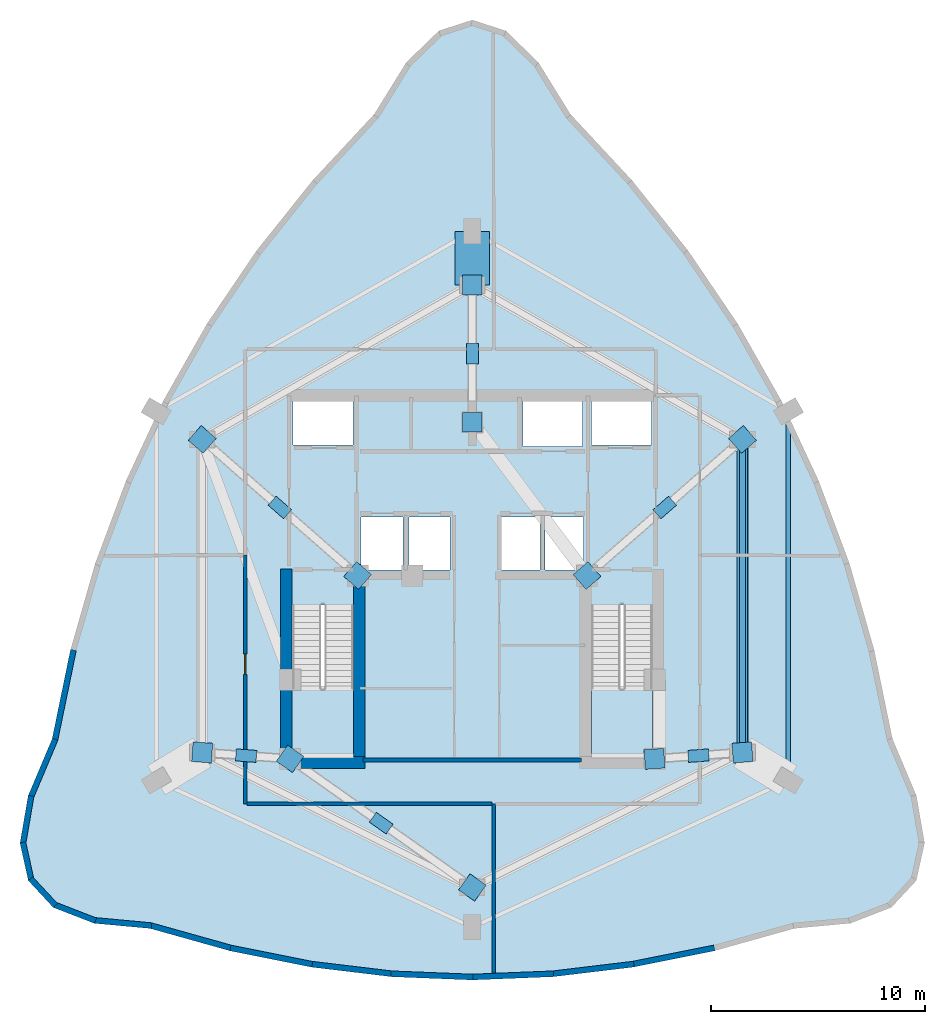
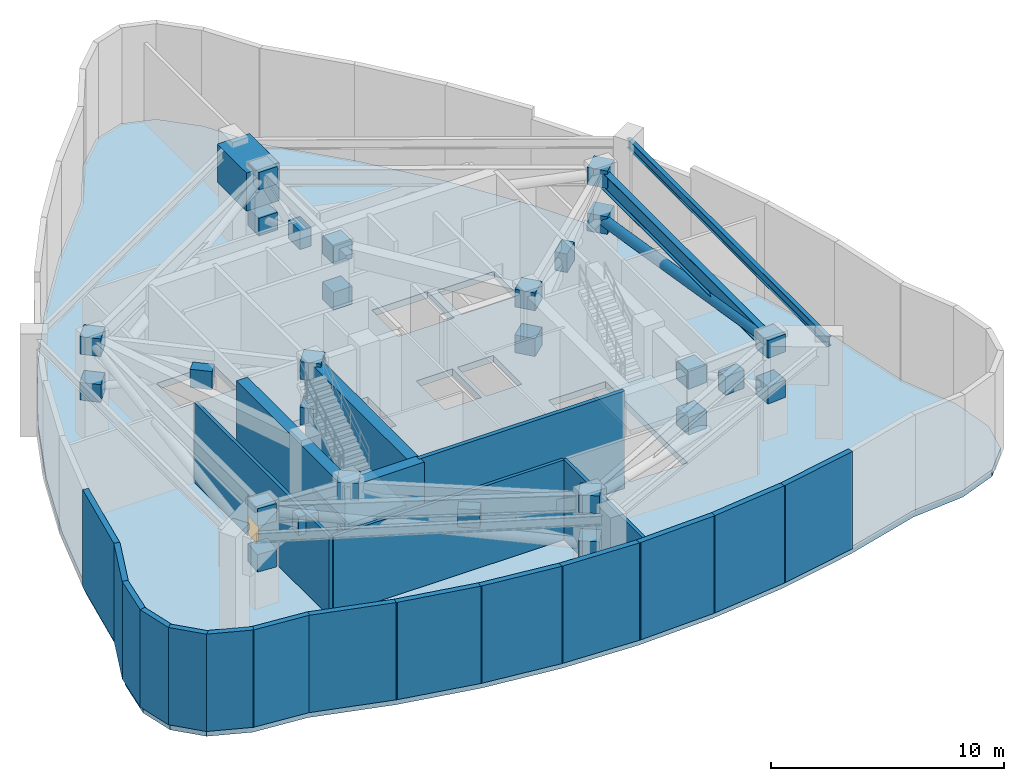
# One storey, part 2 of 5: 28 plates, 21 walls, 3 beams, 3 slabs, 1 door, 1 member, 1 opening, 2 elements without a shape of their own.
"""IFC4 building model written with IfcOpenShell, lengths in metres."""

from ifc_helpers import new_model, si_unit, direction, frame, frame_2d, origin, origin_2d, place, context, subcontext, project, spatial, polyline, rectangle, hollow_circle, i_section, outline, extrude, material, layer, layer_set, material_profile, profile_set, type_object, element, fill, aggregate, save


model = new_model("IFC4")

# Units and contexts
model_context = context("Model", 3, precision=1e-05, world=origin(), true_north=direction((0.0, 1.0)))
body_context = subcontext(model_context, "Body", "Model", "MODEL_VIEW")
ifc_project = project(units=[si_unit("LENGTHUNIT", "METRE"), si_unit("AREAUNIT", "SQUARE_METRE"), si_unit("VOLUMEUNIT", "CUBIC_METRE"), si_unit("PLANEANGLEUNIT", "RADIAN"), si_unit("MASSUNIT", "GRAM", prefix="KILO")], contexts=[model_context])

# Site, building, storey
site_placement = place(None, origin())
site = spatial("IfcSite", under=ifc_project, at=site_placement, CompositionType="ELEMENT")
building_placement = place(site_placement, origin())
building = spatial("IfcBuilding", under=site, at=building_placement, Name="Miruveldt Soraemaru", CompositionType="ELEMENT")
storey_placement = place(building_placement, frame((0.0, 0.0, 184.39990234375)))
storey = spatial("IfcBuildingStorey", under=building, at=storey_placement, Name="L51", CompositionType="ELEMENT", Elevation=184.39990234375)

# Beams
ifc_material_1 = material(Name="Steel SM355 (355 MPa)", Category="steel")
ifc_material_profile_1 = material_profile(ifc_material_1, i_section(OverallWidth=0.199951171875, OverallDepth=0.5, WebThickness=0.010009765625, FlangeThickness=0.01611328125, FilletRadius=0.02001953125, at=origin_2d()), Name="Steel SM355 (355 MPa)", Category="steel")
ifc_profile_set_1 = profile_set([ifc_material_profile_1], Name="Steel SM355 (355 MPa)")
beam_type_1 = type_object("IfcBeamType", Name="BM-ST-H500", PredefinedType="SPANDREL", material=ifc_profile_set_1)
beam_1_placement = place(storey_placement, frame((58.739990234375, 51.705078125, 4.85009765625), z_axis=(0.0, -1.0, 0.0), x_axis=(1.0, 0.0, 0.0)))
element("IfcBeam", 1, at=beam_1_placement, inside=storey, type_object=beam_type_1, Name="L51 Zone-2 Spandrel Beam 2", PredefinedType="SPANDREL", context=body_context, shape_type="SweptSolid", body=[
    extrude(i_section(OverallWidth=0.199951171875, OverallDepth=0.5, WebThickness=0.010009765625, FlangeThickness=0.01611328125, FilletRadius=0.02001953125, at=origin_2d()), origin(), (0.0, 0.0, 1.0), 17.2099609375),
])
ifc_material_2 = material(Name="Steel S460 (460 MPa)", Category="steel")
ifc_material_profile_2 = material_profile(ifc_material_2, i_section(OverallWidth=0.300048828125, OverallDepth=0.89990234375, WebThickness=0.01611328125, FlangeThickness=0.028076171875, FilletRadius=0.028076171875, at=origin_2d()), Name="Steel S460 (460 MPa)", Category="steel")
ifc_profile_set_2 = profile_set([ifc_material_profile_2], Name="Steel S460 (460 MPa)")
beam_type_2 = type_object("IfcBeamType", Name="BM-ST-H900", PredefinedType="BEAM", material=ifc_profile_set_2)
beam_2_placement = place(storey_placement, frame((56.60009765625, 50.39990234375, 4.650146484375), z_axis=(0.0, -1.0, 0.0), x_axis=(1.0, 0.0, 0.0)))
element("IfcBeam", 2, at=beam_2_placement, inside=storey, type_object=beam_type_2, Name="L51 Inner Ring Girder 2", PredefinedType="BEAM", context=body_context, shape_type="SweptSolid", body=[
    extrude(i_section(OverallWidth=0.300048828125, OverallDepth=0.89990234375, WebThickness=0.01611328125, FlangeThickness=0.028076171875, FilletRadius=0.028076171875, at=origin_2d()), origin(), (0.0, 0.0, 1.0), 14.599853515625),
])
ifc_material_3 = material(Name="Concrete C70/85 (70 MPa)", Category="concrete")
ifc_material_profile_3 = material_profile(ifc_material_3, rectangle(XDim=1.60009765625, YDim=2.0, at=origin_2d()), Name="Concrete C70/85 (70 MPa)", Category="concrete")
ifc_profile_set_3 = profile_set([ifc_material_profile_3], Name="Concrete C70/85 (70 MPa)")
beam_type_3 = type_object("IfcBeamType", Name="BM-TG-1600x2000", PredefinedType="USERDEFINED", material=ifc_profile_set_3)
beam_3_placement = place(storey_placement, frame((44.0, 57.60009765625, 4.10009765625), z_axis=(0.0, 1.0, 0.0), x_axis=(-1.0, 0.0, 0.0)))
element("IfcBeam", 3, at=beam_3_placement, inside=storey, type_object=beam_type_3, Name="L51 Continuous Zone-3 Transfer Girder 1", ObjectType="TRANSFER GIRDER", PredefinedType="USERDEFINED", context=body_context, shape_type="SweptSolid", body=[
    extrude(rectangle(XDim=1.60009765625, YDim=2.0, at=origin_2d()), origin(), (0.0, 0.0, 1.0), 2.505859375),
])

# Member
ifc_material_profile_4 = material_profile(ifc_material_2, hollow_circle(Radius=0.25390625, WallThickness=0.02001953125, at=origin_2d()), Name="Steel S460 (460 MPa)", Category="steel")
ifc_profile_set_4 = profile_set([ifc_material_profile_4], Name="Steel S460 (460 MPa)")
member_type = type_object("IfcMemberType", Name="MEM-BLT-CHS508", PredefinedType="BRACE", material=ifc_profile_set_4)
member_placement = place(storey_placement, frame((56.60009765625, 50.39990234375, 2.420166015625), z_axis=(0.0, -0.98675761441, 0.162201758326), x_axis=(1.0, 0.0, 0.0)))
element("IfcMember", 4, at=member_placement, inside=storey, type_object=member_type, Name="L51 Belt Truss Diagonal 2", PredefinedType="BRACE", context=body_context, shape_type="SweptSolid", body=[
    extrude(hollow_circle(Radius=0.25390625, WallThickness=0.02001953125, at=origin_2d()), origin(), (0.0, 0.0, 1.0), 14.7958984375),
])

# Plates
ifc_layer_1 = layer(ifc_material_2, 0.028076171875, Name="Steel S460 (460 MPa)", Category="steel")
ifc_layer_set_1 = layer_set([ifc_layer_1], Name="Steel S460 (460 MPa)")
plate_type = type_object("IfcPlateType", Name="PLT-GUSSET-28", PredefinedType="USERDEFINED", material=ifc_layer_set_1)
plate_1_placement = place(storey_placement, frame((44.0, 54.39990234375, 3.14013671875), z_axis=(0.0, 0.0, 1.0), x_axis=(0.0, 1.0, 0.0)))
element("IfcPlate", 5, at=plate_1_placement, inside=storey, type_object=plate_type, Name="L51 Outrigger X-Brace Crossing Gusset Plate 1", ObjectType="GUSSET", PredefinedType="USERDEFINED", context=body_context, shape_type="SweptSolid", body=[
    extrude(rectangle(XDim=0.9599609375, YDim=0.56005859375, at=origin_2d()), origin(), (0.0, 0.0, 1.0), 0.9599609375),
])
for number, where, z_axis, x_axis, name in (
    (6, (44.0, 51.199951171875, 1.960205078125), (0.0, 0.0, 1.0), (0.0, 1.0, 0.0), "L51 Outrigger Node Gusset Plate 1CB"),
    (7, (44.0, 51.199951171875, 4.360107421875), (0.0, 0.0, 1.0), (0.0, 1.0, 0.0), "L51 Outrigger Node Gusset Plate 1CT"),
    (8, (44.0, 57.60009765625, 1.960205078125), (0.0, 0.0, 1.0), (0.0, 1.0, 0.0), "L51 Outrigger Node Gusset Plate 1IB"),
    (9, (44.0, 57.60009765625, 4.360107421875), (0.0, 0.0, 1.0), (0.0, 1.0, 0.0), "L51 Outrigger Node Gusset Plate 1IT"),
):
    element("IfcPlate", number, at=place(storey_placement, frame(where, z_axis=z_axis, x_axis=x_axis)), inside=storey, type_object=plate_type, Name=name, ObjectType="GUSSET", PredefinedType="USERDEFINED", context=body_context, shape_type="SweptSolid", body=[
        extrude(rectangle(XDim=0.919921875, YDim=0.919921875, at=origin_2d()), origin(), (0.0, 0.0, 1.0), 0.919921875),
    ])
plate_2_placement = place(storey_placement, frame((52.97509765625, 47.22509765625, 3.14013671875), z_axis=(0.0, 0.0, 1.0), x_axis=(0.752299934438, 0.658820771261, 0.0)))
element("IfcPlate", 10, at=plate_2_placement, inside=storey, type_object=plate_type, Name="L51 Outrigger X-Brace Crossing Gusset Plate 2", ObjectType="GUSSET", PredefinedType="USERDEFINED", context=body_context, shape_type="SweptSolid", body=[
    extrude(rectangle(XDim=0.9599609375, YDim=0.56005859375, at=origin_2d()), origin(), (0.0, 0.0, 1.0), 0.9599609375),
])
for number, where, z_axis, x_axis, name in (
    (11, (49.35009765625, 44.050048828125, 1.960205078125), (0.0, 0.0, 1.0), (0.752299934438, 0.658820771261, 0.0), "L51 Outrigger Node Gusset Plate 2CB"),
    (12, (49.35009765625, 44.050048828125, 4.360107421875), (0.0, 0.0, 1.0), (0.752299934438, 0.658820771261, 0.0), "L51 Outrigger Node Gusset Plate 2CT"),
    (13, (56.60009765625, 50.39990234375, 1.960205078125), (0.0, 0.0, 1.0), (0.752299934438, 0.658820771261, 0.0), "L51 Outrigger Node Gusset Plate 2IB"),
    (14, (56.60009765625, 50.39990234375, 4.360107421875), (0.0, 0.0, 1.0), (0.752299934438, 0.658820771261, 0.0), "L51 Outrigger Node Gusset Plate 2IT"),
):
    element("IfcPlate", number, at=place(storey_placement, frame(where, z_axis=z_axis, x_axis=x_axis)), inside=storey, type_object=plate_type, Name=name, ObjectType="GUSSET", PredefinedType="USERDEFINED", context=body_context, shape_type="SweptSolid", body=[
        extrude(rectangle(XDim=0.919921875, YDim=0.919921875, at=origin_2d()), origin(), (0.0, 0.0, 1.0), 0.919921875),
    ])
plate_3_placement = place(storey_placement, frame((54.550048828125, 35.64990234375, 3.14013671875), z_axis=(0.0, 0.0, 1.0), x_axis=(0.997339981418, 0.072890064247, 0.0)))
element("IfcPlate", 15, at=plate_3_placement, inside=storey, type_object=plate_type, Name="L51 Outrigger X-Brace Crossing Gusset Plate 3", ObjectType="GUSSET", PredefinedType="USERDEFINED", context=body_context, shape_type="SweptSolid", body=[
    extrude(rectangle(XDim=0.9599609375, YDim=0.56005859375, at=origin_2d()), origin(), (0.0, 0.0, 1.0), 0.9599609375),
])
for number, where, z_axis, x_axis, name in (
    (16, (52.5, 35.5, 1.960205078125), (0.0, 0.0, 1.0), (0.997339981418, 0.072890064247, 0.0), "L51 Outrigger Node Gusset Plate 3CB"),
    (17, (52.5, 35.5, 4.360107421875), (0.0, 0.0, 1.0), (0.997339981418, 0.072890064247, 0.0), "L51 Outrigger Node Gusset Plate 3CT"),
    (18, (56.60009765625, 35.800048828125, 1.960205078125), (0.0, 0.0, 1.0), (0.997339981418, 0.072890064247, 0.0), "L51 Outrigger Node Gusset Plate 3IB"),
    (19, (56.60009765625, 35.800048828125, 4.360107421875), (0.0, 0.0, 1.0), (0.997339981418, 0.072890064247, 0.0), "L51 Outrigger Node Gusset Plate 3IT"),
):
    element("IfcPlate", number, at=place(storey_placement, frame(where, z_axis=z_axis, x_axis=x_axis)), inside=storey, type_object=plate_type, Name=name, ObjectType="GUSSET", PredefinedType="USERDEFINED", context=body_context, shape_type="SweptSolid", body=[
        extrude(rectangle(XDim=0.919921875, YDim=0.919921875, at=origin_2d()), origin(), (0.0, 0.0, 1.0), 0.919921875),
    ])
plate_4_placement = place(storey_placement, frame((39.75, 32.5, 3.14013671875), z_axis=(0.0, 0.0, 1.0), x_axis=(0.816943635719, -0.576717518425, 0.0)))
element("IfcPlate", 20, at=plate_4_placement, inside=storey, type_object=plate_type, Name="L51 Outrigger X-Brace Crossing Gusset Plate 4", ObjectType="GUSSET", PredefinedType="USERDEFINED", context=body_context, shape_type="SweptSolid", body=[
    extrude(rectangle(XDim=0.9599609375, YDim=0.56005859375, at=origin_2d()), origin(), (0.0, 0.0, 1.0), 0.9599609375),
])
for number, where, z_axis, x_axis, name in (
    (21, (35.5, 35.5, 1.960205078125), (0.0, 0.0, 1.0), (0.816943635719, -0.576717518425, 0.0), "L51 Outrigger Node Gusset Plate 4CB"),
    (22, (35.5, 35.5, 4.360107421875), (0.0, 0.0, 1.0), (0.816943635719, -0.576717518425, 0.0), "L51 Outrigger Node Gusset Plate 4CT"),
    (23, (44.0, 29.5, 1.960205078125), (0.0, 0.0, 1.0), (0.816943635719, -0.576717518425, 0.0), "L51 Outrigger Node Gusset Plate 4IB"),
    (24, (44.0, 29.5, 4.360107421875), (0.0, 0.0, 1.0), (0.816943635719, -0.576717518425, 0.0), "L51 Outrigger Node Gusset Plate 4IT"),
):
    element("IfcPlate", number, at=place(storey_placement, frame(where, z_axis=z_axis, x_axis=x_axis)), inside=storey, type_object=plate_type, Name=name, ObjectType="GUSSET", PredefinedType="USERDEFINED", context=body_context, shape_type="SweptSolid", body=[
        extrude(rectangle(XDim=0.919921875, YDim=0.919921875, at=origin_2d()), origin(), (0.0, 0.0, 1.0), 0.919921875),
    ])
plate_5_placement = place(storey_placement, frame((33.449951171875, 35.64990234375, 3.14013671875), z_axis=(0.0, 0.0, 1.0), x_axis=(-0.997339981418, 0.072890064247, 0.0)))
element("IfcPlate", 25, at=plate_5_placement, inside=storey, type_object=plate_type, Name="L51 Outrigger X-Brace Crossing Gusset Plate 5", ObjectType="GUSSET", PredefinedType="USERDEFINED", context=body_context, shape_type="SweptSolid", body=[
    extrude(rectangle(XDim=0.9599609375, YDim=0.56005859375, at=origin_2d()), origin(), (0.0, 0.0, 1.0), 0.9599609375),
])
for number, where, z_axis, x_axis, name in (
    (26, (31.39990234375, 35.800048828125, 1.960205078125), (0.0, 0.0, 1.0), (-0.997339981418, 0.072890064247, 0.0), "L51 Outrigger Node Gusset Plate 5IB"),
    (27, (31.39990234375, 35.800048828125, 4.360107421875), (0.0, 0.0, 1.0), (-0.997339981418, 0.072890064247, 0.0), "L51 Outrigger Node Gusset Plate 5IT"),
):
    element("IfcPlate", number, at=place(storey_placement, frame(where, z_axis=z_axis, x_axis=x_axis)), inside=storey, type_object=plate_type, Name=name, ObjectType="GUSSET", PredefinedType="USERDEFINED", context=body_context, shape_type="SweptSolid", body=[
        extrude(rectangle(XDim=0.919921875, YDim=0.919921875, at=origin_2d()), origin(), (0.0, 0.0, 1.0), 0.919921875),
    ])
plate_6_placement = place(storey_placement, frame((35.02490234375, 47.22509765625, 3.14013671875), z_axis=(0.0, 0.0, 1.0), x_axis=(-0.752299934438, 0.658820771261, 0.0)))
element("IfcPlate", 28, at=plate_6_placement, inside=storey, type_object=plate_type, Name="L51 Outrigger X-Brace Crossing Gusset Plate 6", ObjectType="GUSSET", PredefinedType="USERDEFINED", context=body_context, shape_type="SweptSolid", body=[
    extrude(rectangle(XDim=0.9599609375, YDim=0.56005859375, at=origin_2d()), origin(), (0.0, 0.0, 1.0), 0.9599609375),
])
for number, where, z_axis, x_axis, name in (
    (29, (38.64990234375, 44.050048828125, 1.960205078125), (0.0, 0.0, 1.0), (-0.752299934438, 0.658820771261, 0.0), "L51 Outrigger Node Gusset Plate 6CB"),
    (30, (38.64990234375, 44.050048828125, 4.360107421875), (0.0, 0.0, 1.0), (-0.752299934438, 0.658820771261, 0.0), "L51 Outrigger Node Gusset Plate 6CT"),
    (31, (31.39990234375, 50.39990234375, 1.960205078125), (0.0, 0.0, 1.0), (-0.752299934438, 0.658820771261, 0.0), "L51 Outrigger Node Gusset Plate 6IB"),
    (32, (31.39990234375, 50.39990234375, 4.360107421875), (0.0, 0.0, 1.0), (-0.752299934438, 0.658820771261, 0.0), "L51 Outrigger Node Gusset Plate 6IT"),
):
    element("IfcPlate", number, at=place(storey_placement, frame(where, z_axis=z_axis, x_axis=x_axis)), inside=storey, type_object=plate_type, Name=name, ObjectType="GUSSET", PredefinedType="USERDEFINED", context=body_context, shape_type="SweptSolid", body=[
        extrude(rectangle(XDim=0.919921875, YDim=0.919921875, at=origin_2d()), origin(), (0.0, 0.0, 1.0), 0.919921875),
    ])

# Stair, slab
ifc_material_4 = material(Name="Concrete C40/50 (40 MPa)", Category="concrete")
stair_type = type_object("IfcStairType", Name="STAIR-DL-540", PredefinedType="HALF_TURN_STAIR", material=ifc_material_4)
stair_1_placement = place(storey_placement, origin())
stair_1 = element("IfcStair", 33, at=stair_1_placement, inside=storey, type_object=stair_type, Name="L51 Protected Exit Stair ST-1", PredefinedType="HALF_TURN_STAIR")
ifc_layer_2 = layer(ifc_material_4, 0.199951171875, Name="Concrete C40/50 (40 MPa)", Category="concrete")
ifc_layer_set_2 = layer_set([ifc_layer_2], Name="Concrete C40/50 (40 MPa)")
slab_type_1 = type_object("IfcSlabType", Name="SLAB-LAND-200", PredefinedType="LANDING", material=ifc_layer_set_2)
slab_1_placement = place(storey_placement, frame((0.0, 0.0, 2.5)))
slab_1 = element("IfcSlab", 34, at=slab_1_placement, type_object=slab_type_1, Name="ST-1 landing 1", PredefinedType="LANDING", context=body_context, shape_type="SweptSolid", body=[
    extrude(outline(polyline([(35.60009765625, 38.798095703125), (35.60009765625, 35.64990234375), (38.449951171875, 35.64990234375), (38.449951171875, 38.798095703125), (35.60009765625, 38.798095703125)])), origin(), (0.0, 0.0, 1.0), 0.2001953125),
])
aggregate(stair_1, [slab_1])

stair_2_placement = place(storey_placement, origin())
stair_2 = element("IfcStair", 35, at=stair_2_placement, inside=storey, type_object=stair_type, Name="L51 Protected Exit Stair ST-2", PredefinedType="HALF_TURN_STAIR")
slab_2_placement = place(storey_placement, frame((0.0, 0.0, 2.5)))
slab_2 = element("IfcSlab", 36, at=slab_2_placement, type_object=slab_type_1, Name="ST-2 landing 1", PredefinedType="LANDING", context=body_context, shape_type="SweptSolid", body=[
    extrude(outline(polyline([(49.550048828125, 38.798095703125), (49.550048828125, 35.64990234375), (52.39990234375, 35.64990234375), (52.39990234375, 38.798095703125), (49.550048828125, 38.798095703125)])), origin(), (0.0, 0.0, 1.0), 0.2001953125),
])
aggregate(stair_2, [slab_2])

# Slab
ifc_material_5 = material(Name="Concrete C50/60 (50 MPa)", Category="concrete")
ifc_layer_3 = layer(ifc_material_5, 0.35009765625, Name="Concrete C50/60 (50 MPa)", Category="concrete")
ifc_layer_set_3 = layer_set([ifc_layer_3], Name="Concrete C50/60 (50 MPa)")
slab_type_2 = type_object("IfcSlabType", Name="SLAB-REFG-350", PredefinedType="FLOOR", material=ifc_layer_set_3)
slab_3_placement = place(storey_placement, frame((0.0, 0.0, -0.349853515625)))
element("IfcSlab", 37, at=slab_3_placement, inside=storey, type_object=slab_type_2, Name="L51 Structural Floor Slab", PredefinedType="FLOOR", context=body_context, shape_type="SweptSolid", body=[
    extrude(outline(polyline([(51.3603515625, 62.3779296875), (53.96337890625, 59.114990234375), (56.275390625, 55.701904296875), (58.296142578125, 52.138916015625), (60.02587890625, 48.426025390625), (61.46484375, 44.56298828125), (62.612548828125, 40.5498046875), (63.46923828125, 36.38671875), (64.585693359375, 33.7392578125), (64.9580078125, 31.5732421875), (64.585693359375, 29.888427734375), (63.46923828125, 28.68505859375), (61.6083984375, 27.963134765625), (59.0029296875, 27.722412109375), (55.252197265625, 26.672119140625), (51.50146484375, 25.922119140625), (47.750732421875, 25.471923828125), (44.0, 25.322021484375), (40.249267578125, 25.471923828125), (36.49853515625, 25.922119140625), (32.747802734375, 26.672119140625), (28.9970703125, 27.722412109375), (26.3916015625, 27.963134765625), (24.53076171875, 28.68505859375), (23.414306640625, 29.888427734375), (23.0419921875, 31.5732421875), (23.414306640625, 33.7392578125), (24.53076171875, 36.38671875), (25.387451171875, 40.5498046875), (26.53515625, 44.56298828125), (27.97412109375, 48.426025390625), (29.703857421875, 52.138916015625), (31.724609375, 55.701904296875), (34.03662109375, 59.114990234375), (36.6396484375, 62.3779296875), (39.53369140625, 65.49072265625), (41.0224609375, 67.8974609375), (42.51123046875, 69.341552734375), (44.0, 69.822998046875), (45.48876953125, 69.341552734375), (46.9775390625, 67.8974609375), (48.46630859375, 65.49072265625), (51.3603515625, 62.3779296875)]), holes=[polyline([(35.614990234375, 35.6650390625), (38.43505859375, 35.6650390625), (38.43505859375, 42.68505859375), (35.614990234375, 42.68505859375), (35.614990234375, 35.6650390625)]), polyline([(49.56494140625, 35.6650390625), (52.385009765625, 35.6650390625), (52.385009765625, 42.68505859375), (49.56494140625, 42.68505859375), (49.56494140625, 35.6650390625)]), polyline([(40.764892578125, 44.31494140625), (40.764892578125, 46.784912109375), (38.81494140625, 46.784912109375), (38.81494140625, 44.31494140625), (40.764892578125, 44.31494140625)]), polyline([(42.965087890625, 44.31494140625), (42.965087890625, 46.784912109375), (41.034912109375, 46.784912109375), (41.034912109375, 44.31494140625), (42.965087890625, 44.31494140625)]), polyline([(47.1650390625, 44.31494140625), (47.1650390625, 46.784912109375), (45.364990234375, 46.784912109375), (45.364990234375, 44.31494140625), (47.1650390625, 44.31494140625)]), polyline([(49.18505859375, 44.31494140625), (49.18505859375, 46.784912109375), (47.39501953125, 46.784912109375), (47.39501953125, 44.31494140625), (49.18505859375, 44.31494140625)]), polyline([(38.445068359375, 50.135009765625), (38.445068359375, 52.205078125), (35.635009765625, 52.205078125), (35.635009765625, 50.135009765625), (38.445068359375, 50.135009765625)]), polyline([(49.554931640625, 50.135009765625), (52.364990234375, 50.135009765625), (52.364990234375, 52.205078125), (49.554931640625, 52.205078125), (49.554931640625, 50.135009765625)]), polyline([(46.364990234375, 50.06494140625), (49.135009765625, 50.06494140625), (49.135009765625, 52.3349609375), (46.364990234375, 52.3349609375), (46.364990234375, 50.06494140625)])]), origin(), (0.0, 0.0, 1.0), 0.349853515625),
])

# Walls
ifc_layer_4 = layer(ifc_material_3, 0.550048828125, Name="Concrete C70/85 (70 MPa)", Category="concrete")
ifc_layer_set_4 = layer_set([ifc_layer_4], Name="Concrete C70/85 (70 MPa)")
wall_type_1 = type_object("IfcWallType", Name="WALL-CW-550", PredefinedType="SHEAR", material=ifc_layer_set_4)
wall_1_placement = place(storey_placement, frame((35.050048828125, 35.324951171875, 0.0), z_axis=(0.0, 0.0, 1.0), x_axis=(1.0, 0.0, 0.0)))
element("IfcWall", 38, at=wall_1_placement, inside=storey, type_object=wall_type_1, Name="L51 Central Core Shear Wall S1", PredefinedType="SHEAR", context=body_context, shape_type="SweptSolid", body=[
    extrude(rectangle(XDim=3.949951171875, YDim=0.550048828125, at=frame_2d((1.97509765625, 0.0))), origin(), (0.0, 0.0, 1.0), 5.10009765625),
])
wall_2_placement = place(storey_placement, frame((35.324951171875, 35.050048828125, 0.0), z_axis=(0.0, 0.0, 1.0), x_axis=(0.0, 1.0, 0.0)))
element("IfcWall", 39, at=wall_2_placement, inside=storey, type_object=wall_type_1, Name="L51 Central Core Shear Wall W1", PredefinedType="SHEAR", context=body_context, shape_type="SweptSolid", body=[
    extrude(rectangle(XDim=9.300048828125, YDim=0.550048828125, at=frame_2d((4.64990234375, 0.0))), origin(), (0.0, 0.0, 1.0), 5.10009765625),
])
wall_3_placement = place(storey_placement, frame((38.72509765625, 35.39990234375, 0.0), z_axis=(0.0, 0.0, 1.0), x_axis=(0.0, 1.0, 0.0)))
element("IfcWall", 40, at=wall_3_placement, inside=storey, type_object=wall_type_1, Name="L51 Central Core Shear Wall SW-INT", PredefinedType="SHEAR", context=body_context, shape_type="SweptSolid", body=[
    extrude(rectangle(XDim=8.9501953125, YDim=0.550048828125, at=frame_2d((4.47509765625, 0.0))), origin(), (0.0, 0.0, 1.0), 5.10009765625),
])
ifc_material_6 = material(Name="Precast concrete C45/55 (45 MPa)", Category="concrete")
ifc_layer_5 = layer(ifc_material_6, 0.27001953125, Name="Precast concrete C45/55 (45 MPa)", Category="concrete")
ifc_layer_set_5 = layer_set([ifc_layer_5], Name="Precast concrete C45/55 (45 MPa)")
wall_type_2 = type_object("IfcWallType", Name="WALL-EXT-PC270", PredefinedType="SOLIDWALL", material=ifc_layer_set_5)
wall_4_placement = place(storey_placement, frame((25.39453125, 40.584228515625, 0.0), z_axis=(0.0, 0.0, 1.0), x_axis=(-0.201568414005, -0.979474437888, 0.0)))
element("IfcWall", 41, at=wall_4_placement, inside=storey, type_object=wall_type_2, Name="L51 Precast Concrete Facade Wall 14", PredefinedType="SOLIDWALL", context=body_context, shape_type="SweptSolid", body=[
    extrude(rectangle(XDim=4.3203125, YDim=0.27001953125, at=frame_2d((2.16015625, 0.0))), origin(), (0.0, 0.0, 1.0), 5.10009765625),
])
wall_5_placement = place(storey_placement, frame((24.544189453125, 36.4189453125, 0.0), z_axis=(0.0, 0.0, 1.0), x_axis=(-0.388546458819, -0.921429134193, 0.0)))
element("IfcWall", 42, at=wall_5_placement, inside=storey, type_object=wall_type_2, Name="L51 Precast Concrete Facade Wall 15", PredefinedType="SOLIDWALL", context=body_context, shape_type="SweptSolid", body=[
    extrude(rectangle(XDim=2.943115234375, YDim=0.27001953125, at=frame_2d((1.4716796875, 0.0))), origin(), (0.0, 0.0, 1.0), 5.10009765625),
])
wall_6_placement = place(storey_placement, frame((23.420166015625, 33.773681640625, 0.0), z_axis=(0.0, 0.0, 1.0), x_axis=(-0.169355267958, -0.985555068586, 0.0)))
element("IfcWall", 43, at=wall_6_placement, inside=storey, type_object=wall_type_2, Name="L51 Precast Concrete Facade Wall 16", PredefinedType="SOLIDWALL", context=body_context, shape_type="SweptSolid", body=[
    extrude(rectangle(XDim=2.267578125, YDim=0.27001953125, at=frame_2d((1.1337890625, 0.0))), origin(), (0.0, 0.0, 1.0), 5.10009765625),
])
wall_7_placement = place(storey_placement, frame((23.034423828125, 31.607421875, 0.0), z_axis=(0.0, 0.0, 1.0), x_axis=(0.215792916571, -0.976439151795, 0.0)))
element("IfcWall", 44, at=wall_7_placement, inside=storey, type_object=wall_type_2, Name="L51 Precast Concrete Facade Wall 17", PredefinedType="SOLIDWALL", context=body_context, shape_type="SweptSolid", body=[
    extrude(rectangle(XDim=1.79541015625, YDim=0.27001953125, at=frame_2d((0.897705078125, 0.0))), origin(), (0.0, 0.0, 1.0), 5.10009765625),
])
wall_8_placement = place(storey_placement, frame((23.390380859375, 29.914306640625, 0.0), z_axis=(0.0, 0.0, 1.0), x_axis=(0.680078990902, -0.733138845058, 0.0)))
element("IfcWall", 45, at=wall_8_placement, inside=storey, type_object=wall_type_2, Name="L51 Precast Concrete Facade Wall 18", PredefinedType="SOLIDWALL", context=body_context, shape_type="SweptSolid", body=[
    extrude(rectangle(XDim=1.711669921875, YDim=0.27001953125, at=frame_2d((0.85595703125, 0.0))), origin(), (0.0, 0.0, 1.0), 5.10009765625),
])
wall_9_placement = place(storey_placement, frame((24.498046875, 28.69775390625, 0.0), z_axis=(0.0, 0.0, 1.0), x_axis=(0.93229707956, -0.361693455074, 0.0)))
element("IfcWall", 46, at=wall_9_placement, inside=storey, type_object=wall_type_2, Name="L51 Precast Concrete Facade Wall 19", PredefinedType="SOLIDWALL", context=body_context, shape_type="SweptSolid", body=[
    extrude(rectangle(XDim=2.066162109375, YDim=0.27001953125, at=frame_2d((1.033203125, 0.0))), origin(), (0.0, 0.0, 1.0), 5.10009765625),
])
wall_10_placement = place(storey_placement, frame((26.356689453125, 27.96630859375, 0.0), z_axis=(0.0, 0.0, 1.0), x_axis=(0.995762583404, -0.09196128257, 0.0)))
element("IfcWall", 47, at=wall_10_placement, inside=storey, type_object=wall_type_2, Name="L51 Precast Concrete Facade Wall 20", PredefinedType="SOLIDWALL", context=body_context, shape_type="SweptSolid", body=[
    extrude(rectangle(XDim=2.686767578125, YDim=0.27001953125, at=frame_2d((1.34326171875, 0.0))), origin(), (0.0, 0.0, 1.0), 5.10009765625),
])
wall_11_placement = place(storey_placement, frame((28.96337890625, 27.731689453125, 0.0), z_axis=(0.0, 0.0, 1.0), x_axis=(0.962978726961, -0.26957739412, 0.0)))
element("IfcWall", 48, at=wall_11_placement, inside=storey, type_object=wall_type_2, Name="L51 Precast Concrete Facade Wall 21", PredefinedType="SOLIDWALL", context=body_context, shape_type="SweptSolid", body=[
    extrude(rectangle(XDim=3.96484375, YDim=0.27001953125, at=frame_2d((1.982421875, 0.0))), origin(), (0.0, 0.0, 1.0), 5.10009765625),
])
wall_12_placement = place(storey_placement, frame((32.713623046875, 26.67919921875, 0.0), z_axis=(0.0, 0.0, 1.0), x_axis=(0.980578264817, -0.196128189121, 0.0)))
element("IfcWall", 49, at=wall_12_placement, inside=storey, type_object=wall_type_2, Name="L51 Precast Concrete Facade Wall 22", PredefinedType="SOLIDWALL", context=body_context, shape_type="SweptSolid", body=[
    extrude(rectangle(XDim=3.89501953125, YDim=0.27001953125, at=frame_2d((1.947509765625, 0.0))), origin(), (0.0, 0.0, 1.0), 5.10009765625),
])
wall_13_placement = place(storey_placement, frame((36.4638671875, 25.92626953125, 0.0), z_axis=(0.0, 0.0, 1.0), x_axis=(0.992875036937, -0.119160232577, 0.0)))
element("IfcWall", 50, at=wall_13_placement, inside=storey, type_object=wall_type_2, Name="L51 Precast Concrete Facade Wall 23", PredefinedType="SOLIDWALL", context=body_context, shape_type="SweptSolid", body=[
    extrude(rectangle(XDim=3.84765625, YDim=0.27001953125, at=frame_2d((1.923828125, 0.0))), origin(), (0.0, 0.0, 1.0), 5.10009765625),
])
for number, where, z_axis, x_axis, name in (
    (51, (40.21435546875, 25.473388671875, 0.0), (0.0, 0.0, 1.0), (0.99920085672, -0.0399705883, 0.0), "L51 Precast Concrete Facade Wall 24"),
    (52, (43.965087890625, 25.320556640625, 0.0), (0.0, 0.0, 1.0), (0.99920085672, 0.0399705883, 0.0), "L51 Precast Concrete Facade Wall 25"),
):
    element("IfcWall", number, at=place(storey_placement, frame(where, z_axis=z_axis, x_axis=x_axis)), inside=storey, type_object=wall_type_2, Name=name, PredefinedType="SOLIDWALL", context=body_context, shape_type="SweptSolid", body=[
        extrude(rectangle(XDim=3.82373046875, YDim=0.27001953125, at=frame_2d((1.911865234375, 0.0))), origin(), (0.0, 0.0, 1.0), 5.10009765625),
    ])
wall_14_placement = place(storey_placement, frame((47.7158203125, 25.4677734375, 0.0), z_axis=(0.0, 0.0, 1.0), x_axis=(0.992875036937, 0.119160232577, 0.0)))
element("IfcWall", 53, at=wall_14_placement, inside=storey, type_object=wall_type_2, Name="L51 Precast Concrete Facade Wall 26", PredefinedType="SOLIDWALL", context=body_context, shape_type="SweptSolid", body=[
    extrude(rectangle(XDim=3.84765625, YDim=0.27001953125, at=frame_2d((1.923828125, 0.0))), origin(), (0.0, 0.0, 1.0), 5.10009765625),
])
wall_15_placement = place(storey_placement, frame((51.467041015625, 25.915283203125, 0.0), z_axis=(0.0, 0.0, 1.0), x_axis=(0.980578264817, 0.196128189121, 0.0)))
element("IfcWall", 54, at=wall_15_placement, inside=storey, type_object=wall_type_2, Name="L51 Precast Concrete Facade Wall 27", PredefinedType="SOLIDWALL", context=body_context, shape_type="SweptSolid", body=[
    extrude(rectangle(XDim=3.89501953125, YDim=0.27001953125, at=frame_2d((1.947509765625, 0.0))), origin(), (0.0, 0.0, 1.0), 5.10009765625),
])

# Wall, opening, door
ifc_layer_6 = layer(ifc_material_4, 0.159912109375, Name="Concrete C40/50 (40 MPa)", Category="concrete")
ifc_layer_set_6 = layer_set([ifc_layer_6], Name="Concrete C40/50 (40 MPa)")
wall_type_3 = type_object("IfcWallType", Name="WALL-INT-RC160", PredefinedType="SOLIDWALL", material=ifc_layer_set_6)
wall_16_placement = place(storey_placement, frame((33.39990234375, 45.0, 0.0), z_axis=(0.0, 0.0, 1.0), x_axis=(0.0, -1.0, 0.0)))
wall_16 = element("IfcWall", 55, at=wall_16_placement, inside=storey, type_object=wall_type_3, Name="L51 Partition Wall 1", PredefinedType="SOLIDWALL", context=body_context, shape_type="SweptSolid", body=[
    extrude(rectangle(XDim=11.60009765625, YDim=0.159912109375, at=frame_2d((5.800048828125, 0.0))), origin(), (0.0, 0.0, 1.0), 4.18798828125),
])
opening_placement = place(wall_16_placement, frame((4.60498046875, 0.0, 0.0)))
opening = element("IfcOpeningElement", 56, at=opening_placement, cuts=wall_16, Name="Opening FD2", PredefinedType="OPENING", context=body_context, shape_type="SweptSolid", body=[
    extrude(rectangle(XDim=0.949951171875, YDim=2.14990234375, at=frame_2d((0.47509765625, 1.074951171875))), frame((0.0, 0.08984375, 0.0), z_axis=(0.0, -1.0, 0.0), x_axis=(1.0, 0.0, 0.0)), (0.0, 0.0, 1.0), 0.179931640625),
])
ifc_material_7 = material(Name="Anodised aluminium EN AW-6063 T6", Category="aluminium")
door_type = type_object("IfcDoorType", Name="DOOR-FD2-950", OperationType="NOTDEFINED", PredefinedType="DOOR", material=ifc_material_7)
door_placement = place(opening_placement, origin())
door = element("IfcDoor", 57, at=door_placement, inside=storey, type_object=door_type, Name="L51 Refuge Area Fire Door", OperationType="SINGLE_SWING_RIGHT", OverallHeight=2.14990234375, OverallWidth=0.949951171875, PredefinedType="DOOR", context=body_context, shape_type="SweptSolid", body=[
    extrude(rectangle(XDim=0.949951171875, YDim=2.14990234375, at=frame_2d((0.47509765625, 1.074951171875))), frame((0.0, 0.02490234375, 0.0), z_axis=(0.0, -1.0, 0.0), x_axis=(1.0, 0.0, 0.0)), (0.0, 0.0, 1.0), 0.050048828125),
])
fill(opening, door)

# Walls
wall_17_placement = place(storey_placement, frame((33.47998046875, 33.39990234375, 0.0), z_axis=(0.0, 0.0, 1.0), x_axis=(1.0, 0.0, 0.0)))
element("IfcWall", 58, at=wall_17_placement, inside=storey, type_object=wall_type_3, Name="L51 Partition Wall 2", PredefinedType="SOLIDWALL", context=body_context, shape_type="SweptSolid", body=[
    extrude(rectangle(XDim=11.43994140625, YDim=0.159912109375, at=frame_2d((5.719970703125, 0.0))), origin(), (0.0, 0.0, 1.0), 4.18798828125),
])
wall_18_placement = place(storey_placement, frame((44.9970703125, 25.511962890625, 0.0), z_axis=(0.0, 0.0, 1.0), x_axis=(0.000371413512, 0.999999931026, 0.0)))
element("IfcWall", 59, at=wall_18_placement, inside=storey, type_object=wall_type_3, Name="L51 Partition Wall 11", PredefinedType="SOLIDWALL", context=body_context, shape_type="SweptSolid", body=[
    extrude(rectangle(XDim=7.887939453125, YDim=0.159912109375, at=frame_2d((3.94384765625, 0.0))), origin(), (0.0, 0.0, 1.0), 4.18798828125),
])
ifc_layer_7 = layer(ifc_material_4, 0.199951171875, Name="Concrete C40/50 (40 MPa)", Category="concrete")
ifc_layer_set_7 = layer_set([ifc_layer_7], Name="Concrete C40/50 (40 MPa)")
wall_type_4 = type_object("IfcWallType", Name="WALL-INT-RC200", PredefinedType="SOLIDWALL", material=ifc_layer_set_7)
wall_19_placement = place(storey_placement, frame((38.89990234375, 35.449951171875, 0.0), z_axis=(0.0, 0.0, 1.0), x_axis=(1.0, 0.0, 0.0)))
element("IfcWall", 60, at=wall_19_placement, inside=storey, type_object=wall_type_4, Name="L51 Core Compartment Wall CS-S", PredefinedType="SOLIDWALL", context=body_context, shape_type="SweptSolid", body=[
    extrude(rectangle(XDim=10.2001953125, YDim=0.199951171875, at=frame_2d((5.10009765625, 0.0))), origin(), (0.0, 0.0, 1.0), 5.10009765625),
])

save(model, "model.ifc")
